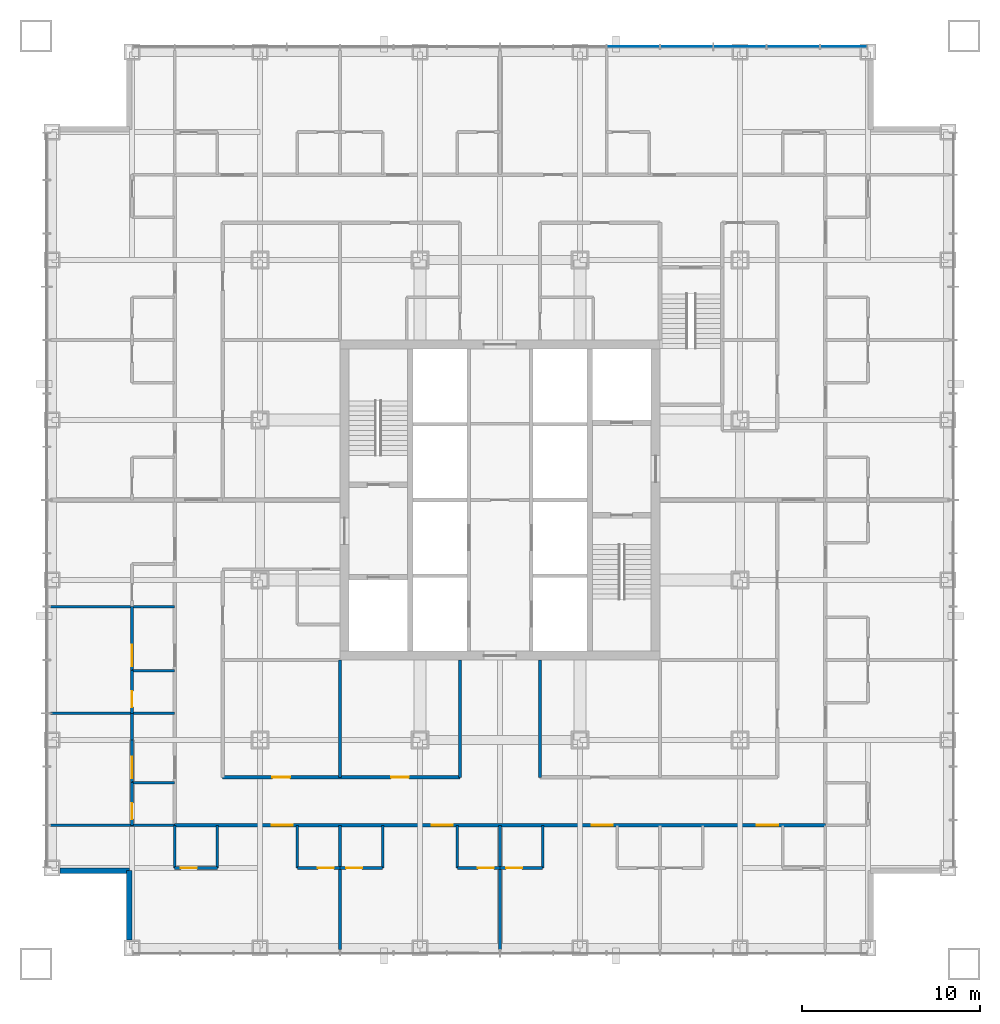
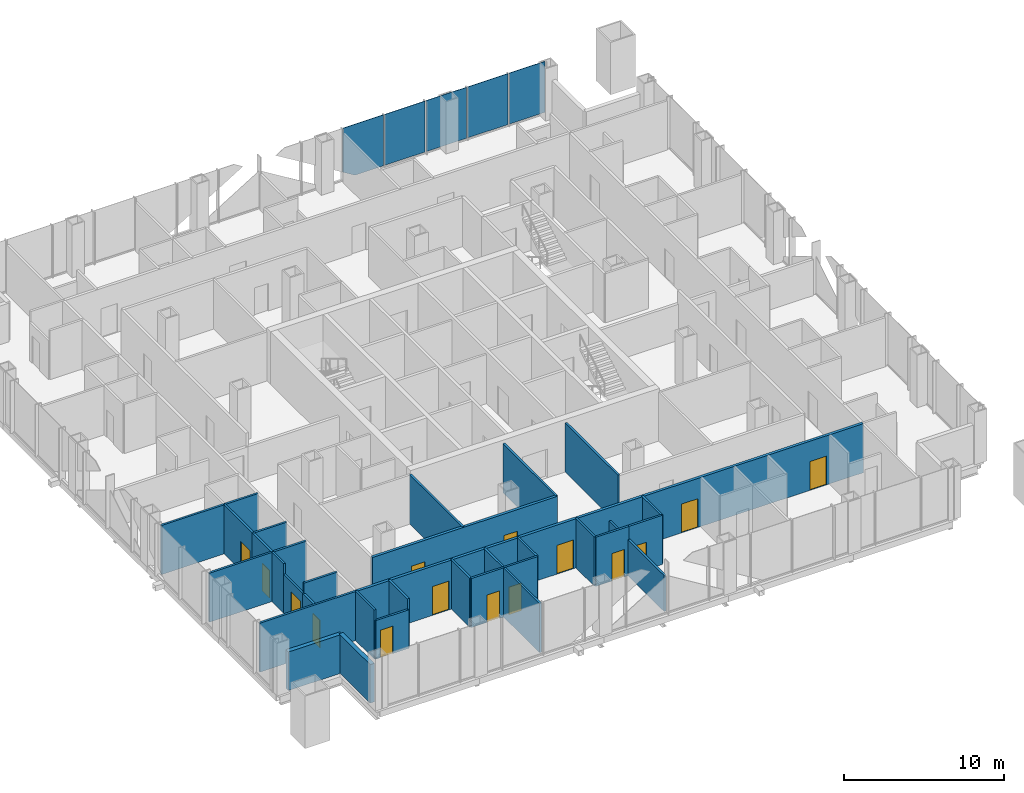
# One storey, part 7 of 13: 30 walls, 15 doors, 5 plates, 15 openings, 1 element without a shape of its own.
"""IFC4 building model written with IfcOpenShell, lengths in metres."""

from ifc_helpers import new_model, si_unit, direction, frame, frame_2d, origin, origin_2d, place, context, subcontext, project, spatial, polyline, rectangle, outline, extrude, material, layer, layer_set, type_object, element, fill, aggregate, save


model = new_model("IFC4")

# Units and contexts
model_context = context("Model", 3, precision=1e-05, world=origin(), true_north=direction((0.0, 1.0)))
body_context = subcontext(model_context, "Body", "Model", "MODEL_VIEW")
ifc_project = project(units=[si_unit("LENGTHUNIT", "METRE"), si_unit("AREAUNIT", "SQUARE_METRE"), si_unit("VOLUMEUNIT", "CUBIC_METRE"), si_unit("PLANEANGLEUNIT", "RADIAN"), si_unit("MASSUNIT", "GRAM", prefix="KILO")], contexts=[model_context])

# Site, building, storey
site_placement = place(None, origin())
site = spatial("IfcSite", under=ifc_project, at=site_placement, CompositionType="ELEMENT")
building_placement = place(site_placement, origin())
building = spatial("IfcBuilding", under=site, at=building_placement, Name="Malebo Sky Hospital", CompositionType="ELEMENT")
storey_placement = place(building_placement, frame((0.0, 0.0, 43.0)))
storey = spatial("IfcBuildingStorey", under=building, at=storey_placement, Name="L09", CompositionType="ELEMENT", Elevation=43.0)

# Curtain wall, plates
ifc_material_1 = material(Name="Anodised aluminium, natural silver", Category="aluminium")
ifc_layer_1 = layer(ifc_material_1, 0.25)
ifc_layer_set_1 = layer_set([ifc_layer_1], Name="WARD CURTAIN WALL NORTH AND SOUTH")
curtain_wall_type = type_object("IfcCurtainWallType", Name="WARD CURTAIN WALL NORTH AND SOUTH", PredefinedType="NOTDEFINED", material=ifc_layer_set_1)
curtain_wall_placement = place(storey_placement, origin())
curtain_wall = element("IfcCurtainWall", 1, at=curtain_wall_placement, inside=storey, type_object=curtain_wall_type, Name="NS curtain wall N", PredefinedType="NOTDEFINED")
ifc_material_2 = material(Name="Clear low-iron double glazing", Category="glass")
ifc_layer_2 = layer(ifc_material_2, 0.031982421875)
ifc_layer_set_2 = layer_set([ifc_layer_2], Name="VISION PANEL CLEAR 32")
plate_type = type_object("IfcPlateType", Name="VISION PANEL CLEAR 32", PredefinedType="CURTAIN_PANEL", material=ifc_layer_set_2)
plate_1_placement = place(storey_placement, frame((67.5, 87.5, 0.10009765625), z_axis=(0.0, 0.0, 1.0), x_axis=(1.0, 0.0, 0.0)))
plate_1 = element("IfcPlate", 2, at=plate_1_placement, type_object=plate_type, Name="Panel 10", PredefinedType="CURTAIN_PANEL", context=body_context, shape_type="SweptSolid", body=[
    extrude(outline(polyline([(-0.593505859375, 0.0), (1.46240234375, 0.0), (1.46240234375, 3.889892578125), (-1.46240234375, 3.889892578125), (-1.46240234375, 0.53271484375), (-0.593505859375, 0.0)])), frame((0.0, 0.01611328125, 0.0), z_axis=(0.0, -1.0, 0.0), x_axis=(1.0, 0.0, 0.0)), (0.0, 0.0, 1.0), 0.031982421875),
])
plate_2_placement = place(storey_placement, frame((70.5, 87.5, 0.10009765625), z_axis=(0.0, 0.0, 1.0), x_axis=(1.0, 0.0, 0.0)))
plate_2 = element("IfcPlate", 3, at=plate_2_placement, type_object=plate_type, Name="Panel 11", PredefinedType="CURTAIN_PANEL", context=body_context, shape_type="SweptSolid", body=[
    extrude(rectangle(XDim=2.925048828125, YDim=0.031982421875, at=origin_2d()), origin(), (0.0, 0.0, 1.0), 3.889892578125),
])
plate_3_placement = place(storey_placement, frame((73.5, 87.5, 0.10009765625), z_axis=(0.0, 0.0, 1.0), x_axis=(1.0, 0.0, 0.0)))
plate_3 = element("IfcPlate", 4, at=plate_3_placement, type_object=plate_type, Name="Panel 12", PredefinedType="CURTAIN_PANEL", context=body_context, shape_type="SweptSolid", body=[
    extrude(rectangle(XDim=2.925048828125, YDim=0.031982421875, at=origin_2d()), origin(), (0.0, 0.0, 1.0), 3.889892578125),
])
plate_4_placement = place(storey_placement, frame((76.5, 87.5, 0.10009765625), z_axis=(0.0, 0.0, 1.0), x_axis=(1.0, 0.0, 0.0)))
plate_4 = element("IfcPlate", 5, at=plate_4_placement, type_object=plate_type, Name="Panel 13", PredefinedType="CURTAIN_PANEL", context=body_context, shape_type="SweptSolid", body=[
    extrude(rectangle(XDim=2.925048828125, YDim=0.031982421875, at=origin_2d()), origin(), (0.0, 0.0, 1.0), 3.889892578125),
])
plate_5_placement = place(storey_placement, frame((79.331298828125, 87.5, 0.10009765625), z_axis=(0.0, 0.0, 1.0), x_axis=(1.0, 0.0, 0.0)))
plate_5 = element("IfcPlate", 6, at=plate_5_placement, type_object=plate_type, Name="Panel 14", PredefinedType="CURTAIN_PANEL", context=body_context, shape_type="SweptSolid", body=[
    extrude(rectangle(XDim=2.58740234375, YDim=0.031982421875, at=origin_2d()), origin(), (0.0, 0.0, 1.0), 3.889892578125),
])
aggregate(curtain_wall, [plate_1, plate_2, plate_3, plate_4, plate_5])

# Wall, openings, doors
ifc_material_3 = material(Name="Gypsum board on steel studs", Category="steel")
ifc_layer_3 = layer(ifc_material_3, 0.199951171875)
ifc_layer_set_3 = layer_set([ifc_layer_3], Name="CORRIDOR WALL 200")
wall_type_1 = type_object("IfcWallType", Name="CORRIDOR WALL 200", PredefinedType="PARTITIONING", material=ifc_layer_set_3)
wall_1_placement = place(storey_placement, frame((78.300048828125, 43.699951171875, 0.0), z_axis=(0.0, 0.0, 1.0), x_axis=(-1.0, 0.0, 0.0)))
wall_1 = element("IfcWall", 7, at=wall_1_placement, inside=storey, type_object=wall_type_1, Name="Corridor Wall 200 SCO", PredefinedType="PARTITIONING", context=body_context, shape_type="SweptSolid", body=[
    extrude(rectangle(XDim=36.60009765625, YDim=0.199951171875, at=frame_2d((18.300048828125, 0.0))), origin(), (0.0, 0.0, 1.0), 3.75),
])
opening_1_placement = place(wall_1_placement, frame((2.64990234375, 0.0, 0.0)))
opening_1 = element("IfcOpeningElement", 8, at=opening_1_placement, cuts=wall_1, Name="Opening D01", PredefinedType="OPENING", context=body_context, shape_type="SweptSolid", body=[
    extrude(rectangle(XDim=1.199951171875, YDim=2.199951171875, at=frame_2d((0.60009765625, 1.10009765625))), frame((0.0, 0.10986328125, 0.0), z_axis=(0.0, -1.0, 0.0), x_axis=(1.0, 0.0, 0.0)), (0.0, 0.0, 1.0), 0.219970703125),
])
opening_2_placement = place(wall_1_placement, frame((11.949951171875, 0.0, 0.0)))
opening_2 = element("IfcOpeningElement", 9, at=opening_2_placement, cuts=wall_1, Name="Opening D01", PredefinedType="OPENING", context=body_context, shape_type="SweptSolid", body=[
    extrude(rectangle(XDim=1.199951171875, YDim=2.199951171875, at=frame_2d((0.60009765625, 1.10009765625))), frame((0.0, 0.10986328125, 0.0), z_axis=(0.0, -1.0, 0.0), x_axis=(1.0, 0.0, 0.0)), (0.0, 0.0, 1.0), 0.219970703125),
])
opening_3_placement = place(wall_1_placement, frame((20.949951171875, 0.0, 0.0)))
opening_3 = element("IfcOpeningElement", 10, at=opening_3_placement, cuts=wall_1, Name="Opening D01", PredefinedType="OPENING", context=body_context, shape_type="SweptSolid", body=[
    extrude(rectangle(XDim=1.199951171875, YDim=2.199951171875, at=frame_2d((0.60009765625, 1.10009765625))), frame((0.0, 0.10986328125, 0.0), z_axis=(0.0, -1.0, 0.0), x_axis=(1.0, 0.0, 0.0)), (0.0, 0.0, 1.0), 0.219970703125),
])
opening_4_placement = place(wall_1_placement, frame((29.949951171875, 0.0, 0.0)))
opening_4 = element("IfcOpeningElement", 11, at=opening_4_placement, cuts=wall_1, Name="Opening D01", PredefinedType="OPENING", context=body_context, shape_type="SweptSolid", body=[
    extrude(rectangle(XDim=1.199951171875, YDim=2.199951171875, at=frame_2d((0.60009765625, 1.10009765625))), frame((0.0, 0.10986328125, 0.0), z_axis=(0.0, -1.0, 0.0), x_axis=(1.0, 0.0, 0.0)), (0.0, 0.0, 1.0), 0.219970703125),
])
ifc_material_4 = material(Name="Hardwood-faced door leaf in steel frame", Category="steel")
door_type_1 = type_object("IfcDoorType", Name="BED DOOR 1200", OperationType="SINGLE_SWING_LEFT", PredefinedType="DOOR", material=ifc_material_4)
door_1_placement = place(opening_1_placement, origin())
door_1 = element("IfcDoor", 12, at=door_1_placement, inside=storey, type_object=door_type_1, Name="Four-bed bay door", OperationType="SINGLE_SWING_LEFT", OverallHeight=2.199951171875, OverallWidth=1.199951171875, PredefinedType="DOOR", context=body_context, shape_type="SweptSolid", body=[
    extrude(rectangle(XDim=1.199951171875, YDim=2.199951171875, at=frame_2d((0.60009765625, 1.10009765625))), frame((0.0, 0.02490234375, 0.0), z_axis=(0.0, -1.0, 0.0), x_axis=(1.0, 0.0, 0.0)), (0.0, 0.0, 1.0), 0.050048828125),
])
fill(opening_1, door_1)
door_2_placement = place(opening_2_placement, origin())
door_2 = element("IfcDoor", 13, at=door_2_placement, inside=storey, type_object=door_type_1, Name="Four-bed bay door", OperationType="SINGLE_SWING_LEFT", OverallHeight=2.199951171875, OverallWidth=1.199951171875, PredefinedType="DOOR", context=body_context, shape_type="SweptSolid", body=[
    extrude(rectangle(XDim=1.199951171875, YDim=2.199951171875, at=frame_2d((0.60009765625, 1.10009765625))), frame((0.0, 0.02490234375, 0.0), z_axis=(0.0, -1.0, 0.0), x_axis=(1.0, 0.0, 0.0)), (0.0, 0.0, 1.0), 0.050048828125),
])
fill(opening_2, door_2)
door_3_placement = place(opening_3_placement, origin())
door_3 = element("IfcDoor", 14, at=door_3_placement, inside=storey, type_object=door_type_1, Name="Four-bed bay door", OperationType="SINGLE_SWING_LEFT", OverallHeight=2.199951171875, OverallWidth=1.199951171875, PredefinedType="DOOR", context=body_context, shape_type="SweptSolid", body=[
    extrude(rectangle(XDim=1.199951171875, YDim=2.199951171875, at=frame_2d((0.60009765625, 1.10009765625))), frame((0.0, 0.02490234375, 0.0), z_axis=(0.0, -1.0, 0.0), x_axis=(1.0, 0.0, 0.0)), (0.0, 0.0, 1.0), 0.050048828125),
])
fill(opening_3, door_3)
door_4_placement = place(opening_4_placement, origin())
door_4 = element("IfcDoor", 15, at=door_4_placement, inside=storey, type_object=door_type_1, Name="Four-bed bay door", OperationType="SINGLE_SWING_LEFT", OverallHeight=2.199951171875, OverallWidth=1.199951171875, PredefinedType="DOOR", context=body_context, shape_type="SweptSolid", body=[
    extrude(rectangle(XDim=1.199951171875, YDim=2.199951171875, at=frame_2d((0.60009765625, 1.10009765625))), frame((0.0, 0.02490234375, 0.0), z_axis=(0.0, -1.0, 0.0), x_axis=(1.0, 0.0, 0.0)), (0.0, 0.0, 1.0), 0.050048828125),
])
fill(opening_4, door_4)

wall_2_placement = place(storey_placement, frame((57.75, 46.39990234375, 0.0), z_axis=(0.0, 0.0, 1.0), x_axis=(-1.0, 0.0, 0.0)))
wall_2 = element("IfcWall", 16, at=wall_2_placement, inside=storey, type_object=wall_type_1, Name="Corridor Wall 200 SCI2", PredefinedType="PARTITIONING", context=body_context, shape_type="SweptSolid", body=[
    extrude(rectangle(XDim=13.35009765625, YDim=0.199951171875, at=frame_2d((6.675048828125, 0.0))), origin(), (0.0, 0.0, 1.0), 3.75),
])
opening_5_placement = place(wall_2_placement, frame((2.875, 0.0, 0.0)))
opening_5 = element("IfcOpeningElement", 17, at=opening_5_placement, cuts=wall_2, Name="Opening D03", PredefinedType="OPENING", context=body_context, shape_type="SweptSolid", body=[
    extrude(rectangle(XDim=1.0, YDim=2.10009765625, at=frame_2d((0.5, 1.050048828125))), frame((0.0, 0.10986328125, 0.0), z_axis=(0.0, -1.0, 0.0), x_axis=(1.0, 0.0, 0.0)), (0.0, 0.0, 1.0), 0.219970703125),
])
opening_6_placement = place(wall_2_placement, frame((9.550048828125, 0.0, 0.0)))
opening_6 = element("IfcOpeningElement", 18, at=opening_6_placement, cuts=wall_2, Name="Opening D03", PredefinedType="OPENING", context=body_context, shape_type="SweptSolid", body=[
    extrude(rectangle(XDim=1.0, YDim=2.10009765625, at=frame_2d((0.5, 1.050048828125))), frame((0.0, 0.10986328125, 0.0), z_axis=(0.0, -1.0, 0.0), x_axis=(1.0, 0.0, 0.0)), (0.0, 0.0, 1.0), 0.219970703125),
])
door_type_2 = type_object("IfcDoorType", Name="ROOM DOOR 1000", OperationType="SINGLE_SWING_LEFT", PredefinedType="DOOR", material=ifc_material_4)
door_5_placement = place(opening_5_placement, origin())
door_5 = element("IfcDoor", 19, at=door_5_placement, inside=storey, type_object=door_type_2, Name="Ward pantry door", OperationType="SINGLE_SWING_LEFT", OverallHeight=2.10009765625, OverallWidth=1.0, PredefinedType="DOOR", context=body_context, shape_type="SweptSolid", body=[
    extrude(rectangle(XDim=1.0, YDim=2.10009765625, at=frame_2d((0.5, 1.050048828125))), frame((0.0, 0.02490234375, 0.0), z_axis=(0.0, -1.0, 0.0), x_axis=(1.0, 0.0, 0.0)), (0.0, 0.0, 1.0), 0.050048828125),
])
fill(opening_5, door_5)
door_6_placement = place(opening_6_placement, origin())
door_6 = element("IfcDoor", 20, at=door_6_placement, inside=storey, type_object=door_type_2, Name="Clean utility room door", OperationType="SINGLE_SWING_RIGHT", OverallHeight=2.10009765625, OverallWidth=1.0, PredefinedType="DOOR", context=body_context, shape_type="SweptSolid", body=[
    extrude(rectangle(XDim=1.0, YDim=2.10009765625, at=frame_2d((0.5, 1.050048828125))), frame((0.0, 0.02490234375, 0.0), z_axis=(0.0, -1.0, 0.0), x_axis=(1.0, 0.0, 0.0)), (0.0, 0.0, 1.0), 0.050048828125),
])
fill(opening_6, door_6)

# Walls
ifc_material_5 = material(Name="Anodised aluminium rainscreen on steel framing", Category="steel")
ifc_layer_4 = layer(ifc_material_5, 0.300048828125)
ifc_layer_set_4 = layer_set([ifc_layer_4], Name="NOTCH RAINSCREEN WALL 300")
wall_type_2 = type_object("IfcWallType", Name="NOTCH RAINSCREEN WALL 300", PredefinedType="ELEMENTEDWALL", material=ifc_layer_set_4)
for number, where, z_axis, x_axis, name in (
    (21, (39.14990234375, 37.25, 0.0), (0.0, 0.0, 1.0), (0.0, 1.0, 0.0), "Notch rainscreen wall S1 L09"),
    (22, (39.14990234375, 41.14990234375, 0.0), (0.0, 0.0, 1.0), (-1.0, 0.0, 0.0), "Notch rainscreen wall S2 L09"),
):
    element("IfcWall", number, at=place(storey_placement, frame(where, z_axis=z_axis, x_axis=x_axis)), inside=storey, type_object=wall_type_2, Name=name, PredefinedType="ELEMENTEDWALL", context=body_context, shape_type="SweptSolid", body=[
        extrude(rectangle(XDim=3.89990234375, YDim=0.300048828125, at=frame_2d((1.949951171875, 0.0))), origin(), (0.0, 0.0, 1.0), 2.949951171875),
    ])
ifc_layer_5 = layer(ifc_material_3, 0.14990234375)
ifc_layer_set_5 = layer_set([ifc_layer_5], Name="PARTITION 150")
wall_type_3 = type_object("IfcWallType", Name="PARTITION 150", PredefinedType="PARTITIONING", material=ifc_layer_set_5)
for number, where, z_axis, x_axis, name in (
    (23, (41.699951171875, 50.0, 0.0), (0.0, 0.0, 1.0), (-1.0, 0.0, 0.0), "Partition 150 WP-12.0"),
    (24, (41.699951171875, 56.0, 0.0), (0.0, 0.0, 1.0), (-1.0, 0.0, 0.0), "Partition 150 WP-6.0"),
    (25, (41.699951171875, 43.699951171875, 0.0), (0.0, 0.0, 1.0), (-1.0, 0.0, 0.0), "Partition 150 WP0"),
):
    element("IfcWall", number, at=place(storey_placement, frame(where, z_axis=z_axis, x_axis=x_axis)), inside=storey, type_object=wall_type_3, Name=name, PredefinedType="PARTITIONING", context=body_context, shape_type="SweptSolid", body=[
        extrude(rectangle(XDim=6.974853515625, YDim=0.14990234375, at=frame_2d((3.4873046875, 0.0))), origin(), (0.0, 0.0, 1.0), 3.75),
    ])

# Wall, opening, door
wall_3_placement = place(storey_placement, frame((39.300048828125, 43.699951171875, 0.0), z_axis=(0.0, 0.0, 1.0), x_axis=(0.0, 1.0, 0.0)))
wall_3 = element("IfcWall", 26, at=wall_3_placement, inside=storey, type_object=wall_type_3, Name="Partition 150 WE0F", PredefinedType="PARTITIONING", context=body_context, shape_type="SweptSolid", body=[
    extrude(rectangle(XDim=2.400146484375, YDim=0.14990234375, at=frame_2d((1.2001953125, 0.0))), origin(), (0.0, 0.0, 1.0), 2.949951171875),
])
opening_7_placement = place(wall_3_placement, frame((0.35009765625, 0.0, 0.0)))
opening_7 = element("IfcOpeningElement", 27, at=opening_7_placement, cuts=wall_3, Name="Opening D02", PredefinedType="OPENING", context=body_context, shape_type="SweptSolid", body=[
    extrude(rectangle(XDim=0.89990234375, YDim=2.10009765625, at=frame_2d((0.449951171875, 1.050048828125))), frame((0.0, 0.0849609375, 0.0), z_axis=(0.0, -1.0, 0.0), x_axis=(1.0, 0.0, 0.0)), (0.0, 0.0, 1.0), 0.169921875),
])
door_type_3 = type_object("IfcDoorType", Name="EN-SUITE DOOR 900", OperationType="SINGLE_SWING_LEFT", PredefinedType="DOOR", material=ifc_material_4)
door_7_placement = place(opening_7_placement, origin())
door_7 = element("IfcDoor", 28, at=door_7_placement, inside=storey, type_object=door_type_3, Name="En-suite door", OperationType="SINGLE_SWING_LEFT", OverallHeight=2.10009765625, OverallWidth=0.89990234375, PredefinedType="DOOR", context=body_context, shape_type="SweptSolid", body=[
    extrude(rectangle(XDim=0.89990234375, YDim=2.10009765625, at=frame_2d((0.449951171875, 1.050048828125))), frame((0.0, 0.02490234375, 0.0), z_axis=(0.0, -1.0, 0.0), x_axis=(1.0, 0.0, 0.0)), (0.0, 0.0, 1.0), 0.050048828125),
])
fill(opening_7, door_7)

# Wall
wall_4_placement = place(storey_placement, frame((41.699951171875, 46.10009765625, 0.0), z_axis=(0.0, 0.0, 1.0), x_axis=(-1.0, 0.0, 0.0)))
element("IfcWall", 29, at=wall_4_placement, inside=storey, type_object=wall_type_3, Name="Partition 150 WE0S", PredefinedType="PARTITIONING", context=body_context, shape_type="SweptSolid", body=[
    extrude(rectangle(XDim=2.39990234375, YDim=0.14990234375, at=frame_2d((1.199951171875, 0.0))), origin(), (0.0, 0.0, 1.0), 3.75),
])

# Wall, opening, door
wall_5_placement = place(storey_placement, frame((39.300048828125, 50.0, 0.0), z_axis=(0.0, 0.0, 1.0), x_axis=(0.0, 1.0, 0.0)))
wall_5 = element("IfcWall", 30, at=wall_5_placement, inside=storey, type_object=wall_type_3, Name="Partition 150 WE1F", PredefinedType="PARTITIONING", context=body_context, shape_type="SweptSolid", body=[
    extrude(rectangle(XDim=2.39990234375, YDim=0.14990234375, at=frame_2d((1.199951171875, 0.0))), origin(), (0.0, 0.0, 1.0), 3.75),
])
opening_8_placement = place(wall_5_placement, frame((0.35009765625, 0.0, 0.0)))
opening_8 = element("IfcOpeningElement", 31, at=opening_8_placement, cuts=wall_5, Name="Opening D02", PredefinedType="OPENING", context=body_context, shape_type="SweptSolid", body=[
    extrude(rectangle(XDim=0.89990234375, YDim=2.10009765625, at=frame_2d((0.449951171875, 1.050048828125))), frame((0.0, 0.0849609375, 0.0), z_axis=(0.0, -1.0, 0.0), x_axis=(1.0, 0.0, 0.0)), (0.0, 0.0, 1.0), 0.169921875),
])
door_8_placement = place(opening_8_placement, origin())
door_8 = element("IfcDoor", 32, at=door_8_placement, inside=storey, type_object=door_type_3, Name="En-suite door", OperationType="SINGLE_SWING_LEFT", OverallHeight=2.10009765625, OverallWidth=0.89990234375, PredefinedType="DOOR", context=body_context, shape_type="SweptSolid", body=[
    extrude(rectangle(XDim=0.89990234375, YDim=2.10009765625, at=frame_2d((0.449951171875, 1.050048828125))), frame((0.0, 0.02490234375, 0.0), z_axis=(0.0, -1.0, 0.0), x_axis=(1.0, 0.0, 0.0)), (0.0, 0.0, 1.0), 0.050048828125),
])
fill(opening_8, door_8)

# Walls
wall_6_placement = place(storey_placement, frame((41.699951171875, 52.39990234375, 0.0), z_axis=(0.0, 0.0, 1.0), x_axis=(-1.0, 0.0, 0.0)))
element("IfcWall", 33, at=wall_6_placement, inside=storey, type_object=wall_type_3, Name="Partition 150 WE1S", PredefinedType="PARTITIONING", context=body_context, shape_type="SweptSolid", body=[
    extrude(rectangle(XDim=2.39990234375, YDim=0.14990234375, at=frame_2d((1.199951171875, 0.0))), origin(), (0.0, 0.0, 1.0), 3.75),
])
wall_7_placement = place(storey_placement, frame((60.0, 43.699951171875, 0.0), z_axis=(0.0, 0.0, 1.0), x_axis=(0.0, -1.0, 0.0)))
element("IfcWall", 34, at=wall_7_placement, inside=storey, type_object=wall_type_3, Name="Partition 150 SP+0.0", PredefinedType="PARTITIONING", context=body_context, shape_type="SweptSolid", body=[
    extrude(rectangle(XDim=6.974853515625, YDim=0.14990234375, at=frame_2d((3.4873046875, 0.0))), origin(), (0.0, 0.0, 1.0), 2.75),
])
wall_8_placement = place(storey_placement, frame((51.0, 43.699951171875, 0.0), z_axis=(0.0, 0.0, 1.0), x_axis=(0.0, -1.0, 0.0)))
element("IfcWall", 35, at=wall_8_placement, inside=storey, type_object=wall_type_3, Name="Partition 150 SP+9.0", PredefinedType="PARTITIONING", context=body_context, shape_type="SweptSolid", body=[
    extrude(rectangle(XDim=6.974853515625, YDim=0.14990234375, at=frame_2d((3.4873046875, 0.0))), origin(), (0.0, 0.0, 1.0), 3.75),
])

# Wall, opening, door
wall_9_placement = place(storey_placement, frame((62.39990234375, 41.300048828125, 0.0), z_axis=(0.0, 0.0, 1.0), x_axis=(-1.0, 0.0, 0.0)))
wall_9 = element("IfcWall", 36, at=wall_9_placement, inside=storey, type_object=wall_type_3, Name="Partition 150 SG1F", PredefinedType="PARTITIONING", context=body_context, shape_type="SweptSolid", body=[
    extrude(rectangle(XDim=2.39990234375, YDim=0.14990234375, at=frame_2d((1.199951171875, 0.0))), origin(), (0.0, 0.0, 1.0), 3.75),
])
opening_9_placement = place(wall_9_placement, frame((1.14990234375, 0.0, 0.0)))
opening_9 = element("IfcOpeningElement", 37, at=opening_9_placement, cuts=wall_9, Name="Opening D02", PredefinedType="OPENING", context=body_context, shape_type="SweptSolid", body=[
    extrude(rectangle(XDim=0.89990234375, YDim=2.10009765625, at=frame_2d((0.449951171875, 1.050048828125))), frame((0.0, 0.0849609375, 0.0), z_axis=(0.0, -1.0, 0.0), x_axis=(1.0, 0.0, 0.0)), (0.0, 0.0, 1.0), 0.169921875),
])
door_9_placement = place(opening_9_placement, origin())
door_9 = element("IfcDoor", 38, at=door_9_placement, inside=storey, type_object=door_type_3, Name="En-suite door", OperationType="SINGLE_SWING_RIGHT", OverallHeight=2.10009765625, OverallWidth=0.89990234375, PredefinedType="DOOR", context=body_context, shape_type="SweptSolid", body=[
    extrude(rectangle(XDim=0.89990234375, YDim=2.10009765625, at=frame_2d((0.449951171875, 1.050048828125))), frame((0.0, 0.02490234375, 0.0), z_axis=(0.0, -1.0, 0.0), x_axis=(1.0, 0.0, 0.0)), (0.0, 0.0, 1.0), 0.050048828125),
])
fill(opening_9, door_9)

# Wall
wall_10_placement = place(storey_placement, frame((62.39990234375, 43.699951171875, 0.0), z_axis=(0.0, 0.0, 1.0), x_axis=(0.0, -1.0, 0.0)))
element("IfcWall", 39, at=wall_10_placement, inside=storey, type_object=wall_type_3, Name="Partition 150 SG1S", PredefinedType="PARTITIONING", context=body_context, shape_type="SweptSolid", body=[
    extrude(rectangle(XDim=2.39990234375, YDim=0.14990234375, at=frame_2d((1.199951171875, 0.0))), origin(), (0.0, 0.0, 1.0), 3.75),
])

# Wall, opening, door
wall_11_placement = place(storey_placement, frame((60.0, 41.300048828125, 0.0), z_axis=(0.0, 0.0, 1.0), x_axis=(-1.0, 0.0, 0.0)))
wall_11 = element("IfcWall", 40, at=wall_11_placement, inside=storey, type_object=wall_type_3, Name="Partition 150 SE2F", PredefinedType="PARTITIONING", context=body_context, shape_type="SweptSolid", body=[
    extrude(rectangle(XDim=2.39990234375, YDim=0.14990234375, at=frame_2d((1.199951171875, 0.0))), origin(), (0.0, 0.0, 1.0), 3.75),
])
opening_10_placement = place(wall_11_placement, frame((0.35009765625, 0.0, 0.0)))
opening_10 = element("IfcOpeningElement", 41, at=opening_10_placement, cuts=wall_11, Name="Opening D02", PredefinedType="OPENING", context=body_context, shape_type="SweptSolid", body=[
    extrude(rectangle(XDim=0.89990234375, YDim=2.10009765625, at=frame_2d((0.449951171875, 1.050048828125))), frame((0.0, 0.0849609375, 0.0), z_axis=(0.0, -1.0, 0.0), x_axis=(1.0, 0.0, 0.0)), (0.0, 0.0, 1.0), 0.169921875),
])
door_10_placement = place(opening_10_placement, origin())
door_10 = element("IfcDoor", 42, at=door_10_placement, inside=storey, type_object=door_type_3, Name="En-suite door", OperationType="SINGLE_SWING_LEFT", OverallHeight=2.10009765625, OverallWidth=0.89990234375, PredefinedType="DOOR", context=body_context, shape_type="SweptSolid", body=[
    extrude(rectangle(XDim=0.89990234375, YDim=2.10009765625, at=frame_2d((0.449951171875, 1.050048828125))), frame((0.0, 0.02490234375, 0.0), z_axis=(0.0, -1.0, 0.0), x_axis=(1.0, 0.0, 0.0)), (0.0, 0.0, 1.0), 0.050048828125),
])
fill(opening_10, door_10)

# Wall
wall_12_placement = place(storey_placement, frame((57.60009765625, 43.699951171875, 0.0), z_axis=(0.0, 0.0, 1.0), x_axis=(0.0, -1.0, 0.0)))
element("IfcWall", 43, at=wall_12_placement, inside=storey, type_object=wall_type_3, Name="Partition 150 SE2S", PredefinedType="PARTITIONING", context=body_context, shape_type="SweptSolid", body=[
    extrude(rectangle(XDim=2.39990234375, YDim=0.14990234375, at=frame_2d((1.199951171875, 0.0))), origin(), (0.0, 0.0, 1.0), 3.75),
])

# Wall, opening, door
wall_13_placement = place(storey_placement, frame((53.39990234375, 41.300048828125, 0.0), z_axis=(0.0, 0.0, 1.0), x_axis=(-1.0, 0.0, 0.0)))
wall_13 = element("IfcWall", 44, at=wall_13_placement, inside=storey, type_object=wall_type_3, Name="Partition 150 SG2F", PredefinedType="PARTITIONING", context=body_context, shape_type="SweptSolid", body=[
    extrude(rectangle(XDim=2.39990234375, YDim=0.14990234375, at=frame_2d((1.199951171875, 0.0))), origin(), (0.0, 0.0, 1.0), 3.75),
])
opening_11_placement = place(wall_13_placement, frame((1.14990234375, 0.0, 0.0)))
opening_11 = element("IfcOpeningElement", 45, at=opening_11_placement, cuts=wall_13, Name="Opening D02", PredefinedType="OPENING", context=body_context, shape_type="SweptSolid", body=[
    extrude(rectangle(XDim=0.89990234375, YDim=2.10009765625, at=frame_2d((0.449951171875, 1.050048828125))), frame((0.0, 0.0849609375, 0.0), z_axis=(0.0, -1.0, 0.0), x_axis=(1.0, 0.0, 0.0)), (0.0, 0.0, 1.0), 0.169921875),
])
door_11_placement = place(opening_11_placement, origin())
door_11 = element("IfcDoor", 46, at=door_11_placement, inside=storey, type_object=door_type_3, Name="En-suite door", OperationType="SINGLE_SWING_RIGHT", OverallHeight=2.10009765625, OverallWidth=0.89990234375, PredefinedType="DOOR", context=body_context, shape_type="SweptSolid", body=[
    extrude(rectangle(XDim=0.89990234375, YDim=2.10009765625, at=frame_2d((0.449951171875, 1.050048828125))), frame((0.0, 0.02490234375, 0.0), z_axis=(0.0, -1.0, 0.0), x_axis=(1.0, 0.0, 0.0)), (0.0, 0.0, 1.0), 0.050048828125),
])
fill(opening_11, door_11)

# Wall
wall_14_placement = place(storey_placement, frame((53.39990234375, 43.699951171875, 0.0), z_axis=(0.0, 0.0, 1.0), x_axis=(0.0, -1.0, 0.0)))
element("IfcWall", 47, at=wall_14_placement, inside=storey, type_object=wall_type_3, Name="Partition 150 SG2S", PredefinedType="PARTITIONING", context=body_context, shape_type="SweptSolid", body=[
    extrude(rectangle(XDim=2.39990234375, YDim=0.14990234375, at=frame_2d((1.199951171875, 0.0))), origin(), (0.0, 0.0, 1.0), 3.75),
])

# Wall, opening, door
wall_15_placement = place(storey_placement, frame((51.0, 41.300048828125, 0.0), z_axis=(0.0, 0.0, 1.0), x_axis=(-1.0, 0.0, 0.0)))
wall_15 = element("IfcWall", 48, at=wall_15_placement, inside=storey, type_object=wall_type_3, Name="Partition 150 SE3F", PredefinedType="PARTITIONING", context=body_context, shape_type="SweptSolid", body=[
    extrude(rectangle(XDim=2.39990234375, YDim=0.14990234375, at=frame_2d((1.199951171875, 0.0))), origin(), (0.0, 0.0, 1.0), 3.75),
])
opening_12_placement = place(wall_15_placement, frame((0.35009765625, 0.0, 0.0)))
opening_12 = element("IfcOpeningElement", 49, at=opening_12_placement, cuts=wall_15, Name="Opening D02", PredefinedType="OPENING", context=body_context, shape_type="SweptSolid", body=[
    extrude(rectangle(XDim=0.89990234375, YDim=2.10009765625, at=frame_2d((0.449951171875, 1.050048828125))), frame((0.0, 0.0849609375, 0.0), z_axis=(0.0, -1.0, 0.0), x_axis=(1.0, 0.0, 0.0)), (0.0, 0.0, 1.0), 0.169921875),
])
door_12_placement = place(opening_12_placement, origin())
door_12 = element("IfcDoor", 50, at=door_12_placement, inside=storey, type_object=door_type_3, Name="En-suite door", OperationType="SINGLE_SWING_LEFT", OverallHeight=2.10009765625, OverallWidth=0.89990234375, PredefinedType="DOOR", context=body_context, shape_type="SweptSolid", body=[
    extrude(rectangle(XDim=0.89990234375, YDim=2.10009765625, at=frame_2d((0.449951171875, 1.050048828125))), frame((0.0, 0.02490234375, 0.0), z_axis=(0.0, -1.0, 0.0), x_axis=(1.0, 0.0, 0.0)), (0.0, 0.0, 1.0), 0.050048828125),
])
fill(opening_12, door_12)

# Wall
wall_16_placement = place(storey_placement, frame((48.60009765625, 43.699951171875, 0.0), z_axis=(0.0, 0.0, 1.0), x_axis=(0.0, -1.0, 0.0)))
element("IfcWall", 51, at=wall_16_placement, inside=storey, type_object=wall_type_3, Name="Partition 150 SE3S", PredefinedType="PARTITIONING", context=body_context, shape_type="SweptSolid", body=[
    extrude(rectangle(XDim=2.39990234375, YDim=0.14990234375, at=frame_2d((1.199951171875, 0.0))), origin(), (0.0, 0.0, 1.0), 3.75),
])

# Wall, opening, door
wall_17_placement = place(storey_placement, frame((44.10009765625, 41.300048828125, 0.0), z_axis=(0.0, 0.0, 1.0), x_axis=(-1.0, 0.0, 0.0)))
wall_17 = element("IfcWall", 52, at=wall_17_placement, inside=storey, type_object=wall_type_3, Name="Partition 150 SG3F", PredefinedType="PARTITIONING", context=body_context, shape_type="SweptSolid", body=[
    extrude(rectangle(XDim=2.400146484375, YDim=0.14990234375, at=frame_2d((1.2001953125, 0.0))), origin(), (0.0, 0.0, 1.0), 2.949951171875),
])
opening_13_placement = place(wall_17_placement, frame((1.14990234375, 0.0, 0.0)))
opening_13 = element("IfcOpeningElement", 53, at=opening_13_placement, cuts=wall_17, Name="Opening D02", PredefinedType="OPENING", context=body_context, shape_type="SweptSolid", body=[
    extrude(rectangle(XDim=0.89990234375, YDim=2.10009765625, at=frame_2d((0.449951171875, 1.050048828125))), frame((0.0, 0.0849609375, 0.0), z_axis=(0.0, -1.0, 0.0), x_axis=(1.0, 0.0, 0.0)), (0.0, 0.0, 1.0), 0.169921875),
])
door_13_placement = place(opening_13_placement, origin())
door_13 = element("IfcDoor", 54, at=door_13_placement, inside=storey, type_object=door_type_3, Name="En-suite door", OperationType="SINGLE_SWING_RIGHT", OverallHeight=2.10009765625, OverallWidth=0.89990234375, PredefinedType="DOOR", context=body_context, shape_type="SweptSolid", body=[
    extrude(rectangle(XDim=0.89990234375, YDim=2.10009765625, at=frame_2d((0.449951171875, 1.050048828125))), frame((0.0, 0.02490234375, 0.0), z_axis=(0.0, -1.0, 0.0), x_axis=(1.0, 0.0, 0.0)), (0.0, 0.0, 1.0), 0.050048828125),
])
fill(opening_13, door_13)

# Walls
for number, where, z_axis, x_axis, name in (
    (55, (44.10009765625, 43.699951171875, 0.0), (0.0, 0.0, 1.0), (0.0, -1.0, 0.0), "Partition 150 SG3S"),
    (56, (41.699951171875, 43.699951171875, 0.0), (0.0, 0.0, 1.0), (0.0, -1.0, 0.0), "Partition 150 SEZ"),
):
    element("IfcWall", number, at=place(storey_placement, frame(where, z_axis=z_axis, x_axis=x_axis)), inside=storey, type_object=wall_type_3, Name=name, PredefinedType="PARTITIONING", context=body_context, shape_type="SweptSolid", body=[
        extrude(rectangle(XDim=2.39990234375, YDim=0.14990234375, at=frame_2d((1.199951171875, 0.0))), origin(), (0.0, 0.0, 1.0), 3.75),
    ])
for number, where, z_axis, x_axis, name in (
    (57, (62.25, 53.0, 0.0), (0.0, 0.0, 1.0), (0.0, -1.0, 0.0), "Partition 150 SSPA"),
    (58, (57.75, 53.0, 0.0), (0.0, 0.0, 1.0), (0.0, -1.0, 0.0), "Partition 150 SSPB"),
    (59, (51.0, 53.0, 0.0), (0.0, 0.0, 1.0), (0.0, -1.0, 0.0), "Partition 150 SSP+9.0"),
):
    element("IfcWall", number, at=place(storey_placement, frame(where, z_axis=z_axis, x_axis=x_axis)), inside=storey, type_object=wall_type_3, Name=name, PredefinedType="PARTITIONING", context=body_context, shape_type="SweptSolid", body=[
        extrude(rectangle(XDim=6.60009765625, YDim=0.14990234375, at=frame_2d((3.300048828125, 0.0))), origin(), (0.0, 0.0, 1.0), 3.75),
    ])

# Wall, opening, door
ifc_material_6 = material(Name="Sealed gypsum board on steel studs, taped to the slab", Category="steel")
ifc_layer_6 = layer(ifc_material_6, 0.14990234375)
ifc_layer_set_6 = layer_set([ifc_layer_6], Name="SEALED ISOLATION PARTITION 150")
wall_type_4 = type_object("IfcWallType", Name="SEALED ISOLATION PARTITION 150", PredefinedType="PARTITIONING", material=ifc_layer_set_6)
wall_18_placement = place(storey_placement, frame((39.300048828125, 46.10009765625, 0.0), z_axis=(0.0, 0.0, 1.0), x_axis=(0.0, 1.0, 0.0)))
wall_18 = element("IfcWall", 60, at=wall_18_placement, inside=storey, type_object=wall_type_4, Name="Sealed Isolation Partition 150 WA0F", PredefinedType="PARTITIONING", context=body_context, shape_type="SweptSolid", body=[
    extrude(rectangle(XDim=2.39990234375, YDim=0.14990234375, at=frame_2d((1.199951171875, 0.0))), origin(), (0.0, 0.0, 1.0), 2.949951171875),
])
opening_14_placement = place(wall_18_placement, frame((0.25, 0.0, 0.0)))
opening_14 = element("IfcOpeningElement", 61, at=opening_14_placement, cuts=wall_18, Name="Opening D19", PredefinedType="OPENING", context=body_context, shape_type="SweptSolid", body=[
    extrude(rectangle(XDim=1.199951171875, YDim=2.199951171875, at=frame_2d((0.60009765625, 1.10009765625))), frame((0.0, 0.0849609375, 0.0), z_axis=(0.0, -1.0, 0.0), x_axis=(1.0, 0.0, 0.0)), (0.0, 0.0, 1.0), 0.169921875),
])
ifc_material_7 = material(Name="Hardwood-faced door leaf with perimeter seals in steel frame", Category="steel")
door_type_4 = type_object("IfcDoorType", Name="SEALED ISOLATION ROOM DOOR 1200", OperationType="SINGLE_SWING_LEFT", PredefinedType="DOOR", material=ifc_material_7)
door_14_placement = place(opening_14_placement, origin())
door_14 = element("IfcDoor", 62, at=door_14_placement, inside=storey, type_object=door_type_4, Name="Isolation room door", OperationType="SINGLE_SWING_LEFT", OverallHeight=2.199951171875, OverallWidth=1.199951171875, PredefinedType="DOOR", context=body_context, shape_type="SweptSolid", body=[
    extrude(rectangle(XDim=1.199951171875, YDim=2.199951171875, at=frame_2d((0.60009765625, 1.10009765625))), frame((0.0, 0.02490234375, 0.0), z_axis=(0.0, -1.0, 0.0), x_axis=(1.0, 0.0, 0.0)), (0.0, 0.0, 1.0), 0.050048828125),
])
fill(opening_14, door_14)

# Wall
wall_19_placement = place(storey_placement, frame((39.300048828125, 48.5, 0.0), z_axis=(0.0, 0.0, 1.0), x_axis=(0.0, 1.0, 0.0)))
element("IfcWall", 63, at=wall_19_placement, inside=storey, type_object=wall_type_4, Name="Sealed Isolation Partition 150 WA0F", PredefinedType="PARTITIONING", context=body_context, shape_type="SweptSolid", body=[
    extrude(rectangle(XDim=1.5, YDim=0.14990234375, at=frame_2d((0.75, 0.0))), origin(), (0.0, 0.0, 1.0), 3.75),
])

# Wall, opening, door
wall_20_placement = place(storey_placement, frame((39.300048828125, 52.39990234375, 0.0), z_axis=(0.0, 0.0, 1.0), x_axis=(0.0, 1.0, 0.0)))
wall_20 = element("IfcWall", 64, at=wall_20_placement, inside=storey, type_object=wall_type_4, Name="Sealed Isolation Partition 150 WA1F", PredefinedType="PARTITIONING", context=body_context, shape_type="SweptSolid", body=[
    extrude(rectangle(XDim=3.60009765625, YDim=0.14990234375, at=frame_2d((1.800048828125, 0.0))), origin(), (0.0, 0.0, 1.0), 3.75),
])
opening_15_placement = place(wall_20_placement, frame((0.25, 0.0, 0.0)))
opening_15 = element("IfcOpeningElement", 65, at=opening_15_placement, cuts=wall_20, Name="Opening D19", PredefinedType="OPENING", context=body_context, shape_type="SweptSolid", body=[
    extrude(rectangle(XDim=1.199951171875, YDim=2.199951171875, at=frame_2d((0.60009765625, 1.10009765625))), frame((0.0, 0.0849609375, 0.0), z_axis=(0.0, -1.0, 0.0), x_axis=(1.0, 0.0, 0.0)), (0.0, 0.0, 1.0), 0.169921875),
])
door_15_placement = place(opening_15_placement, origin())
door_15 = element("IfcDoor", 66, at=door_15_placement, inside=storey, type_object=door_type_4, Name="Isolation room door", OperationType="SINGLE_SWING_LEFT", OverallHeight=2.199951171875, OverallWidth=1.199951171875, PredefinedType="DOOR", context=body_context, shape_type="SweptSolid", body=[
    extrude(rectangle(XDim=1.199951171875, YDim=2.199951171875, at=frame_2d((0.60009765625, 1.10009765625))), frame((0.0, 0.02490234375, 0.0), z_axis=(0.0, -1.0, 0.0), x_axis=(1.0, 0.0, 0.0)), (0.0, 0.0, 1.0), 0.050048828125),
])
fill(opening_15, door_15)

save(model, "model.ifc")
